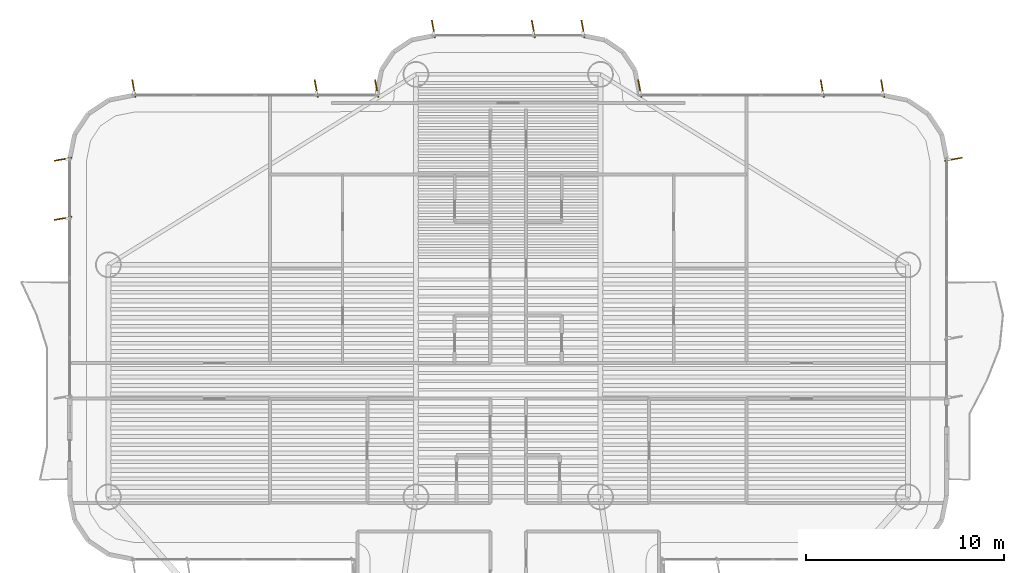
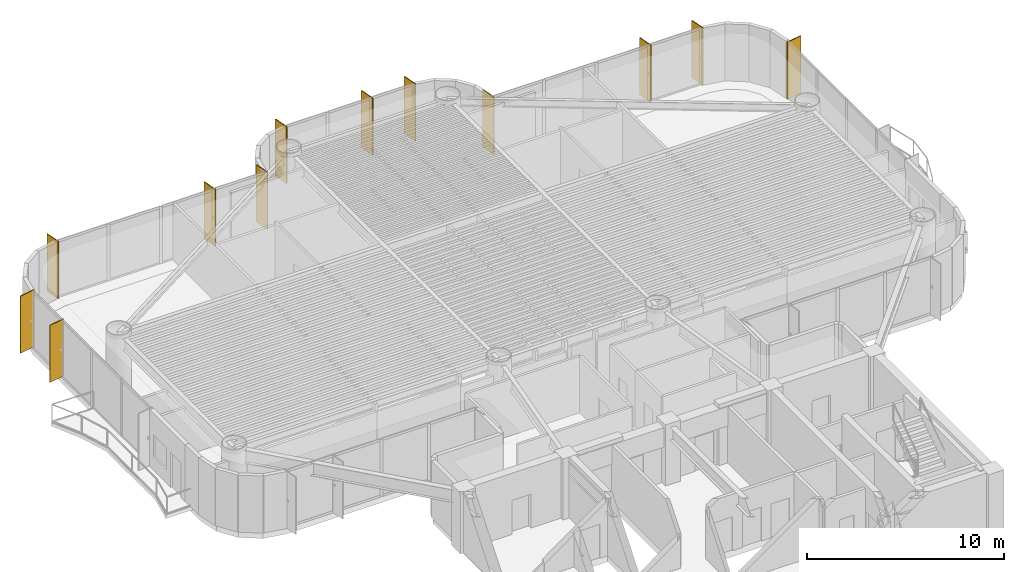
# One storey, part 17 of 17: 12 shading devices.
"""IFC4 building model written with IfcOpenShell, lengths in metres."""

from ifc_helpers import new_model, si_unit, direction, frame, origin, origin_2d, place, context, subcontext, project, spatial, rectangle, extrude, source, transform, mapped, material, material_profile, profile_set, type_object, element, save


model = new_model("IFC4")

# Units and contexts
model_context = context("Model", 3, precision=1e-05, world=origin(), true_north=direction((0.0, 1.0)))
body_context = subcontext(model_context, "Body", "Model", "MODEL_VIEW")
ifc_project = project(units=[si_unit("LENGTHUNIT", "METRE"), si_unit("AREAUNIT", "SQUARE_METRE"), si_unit("VOLUMEUNIT", "CUBIC_METRE"), si_unit("PLANEANGLEUNIT", "RADIAN"), si_unit("MASSUNIT", "GRAM", prefix="KILO")], contexts=[model_context])

# Site, building, storey
site_placement = place(None, origin())
site = spatial("IfcSite", under=ifc_project, at=site_placement, CompositionType="ELEMENT")
building_placement = place(site_placement, origin())
building = spatial("IfcBuilding", under=site, at=building_placement, Name="Brelvock Crest Care Tower", CompositionType="ELEMENT")
storey_placement = place(building_placement, frame((0.0, 0.0, 89.820068359375)))
storey = spatial("IfcBuildingStorey", under=building, at=storey_placement, Name="L22", CompositionType="ELEMENT", Elevation=89.820068359375)

# Shading devices
ifc_material = material(Name="Aluminium 6063-T6", Category="aluminium")
ifc_material_profile = material_profile(ifc_material, rectangle(XDim=0.054931640625, YDim=0.89990234375, at=origin_2d()), Name="FIN55x900")
ifc_profile_set = profile_set([ifc_material_profile], Name="Aluminium 6063-T6")
shading_device_type = type_object("IfcShadingDeviceType", Name="SHD-FIN1", PredefinedType="USERDEFINED", material=ifc_profile_set)
shared_shape = source(origin(), body_context, "Body", "SweptSolid", [
    extrude(rectangle(XDim=0.054931640625, YDim=0.89990234375, at=origin_2d()), origin(), (0.0, 0.0, 1.0), 3.530029296875),
])
for number, where, z_axis, x_axis, name in (
    (1, (13.56005859375, 41.1875, 0.0), (0.0, 0.0, 1.0), (-0.173648177667, 0.984807753012, 0.0), "L22 Vertical Sunshade Fin E17B-04"),
    (2, (13.56005859375, 44.169921875, 0.0), (0.0, 0.0, 1.0), (-0.173648177667, 0.984807753012, 0.0), "L22 Vertical Sunshade Fin E17B-05"),
    (3, (17.1298828125, 47.739990234375, 0.0), (0.0, 0.0, 1.0), (0.984807753012, 0.173648177667, 0.0), "L22 Vertical Sunshade Fin E22-01"),
    (4, (26.324951171875, 47.739990234375, 0.0), (0.0, 0.0, 1.0), (0.984807753012, 0.173648177667, 0.0), "L22 Vertical Sunshade Fin E22-04"),
    (5, (29.3701171875, 47.739990234375, 0.0), (0.0, 0.0, 1.0), (0.984807753012, 0.173648177667, 0.0), "L22 Vertical Sunshade Fin E22-05"),
    (6, (32.22998046875, 50.739990234375, 0.0), (0.0, 0.0, 1.0), (0.984807753012, 0.173648177667, 0.0), "L22 Vertical Sunshade Fin E28-01"),
    (7, (37.2666015625, 50.739990234375, 0.0), (0.0, 0.0, 1.0), (0.984807753012, 0.173648177667, 0.0), "L22 Vertical Sunshade Fin E28-03"),
    (8, (39.77001953125, 50.739990234375, 0.0), (0.0, 0.0, 1.0), (0.984807753012, 0.173648177667, 0.0), "L22 Vertical Sunshade Fin E28-04"),
    (9, (42.6298828125, 47.739990234375, 0.0), (0.0, 0.0, 1.0), (0.984807753012, 0.173648177667, 0.0), "L22 Vertical Sunshade Fin E34-01"),
    (10, (51.824951171875, 47.739990234375, 0.0), (0.0, 0.0, 1.0), (0.984807753012, 0.173648177667, 0.0), "L22 Vertical Sunshade Fin E34-04"),
    (11, (54.8701171875, 47.739990234375, 0.0), (0.0, 0.0, 1.0), (0.984807753012, 0.173648177667, 0.0), "L22 Vertical Sunshade Fin E34-05"),
    (12, (58.43994140625, 44.169921875, 0.0), (0.0, 0.0, 1.0), (0.173648177667, -0.984807753012, 0.0), "L22 Vertical Sunshade Fin E39A-01"),
):
    element("IfcShadingDevice", number, at=place(storey_placement, frame(where, z_axis=z_axis, x_axis=x_axis)), inside=storey, type_object=shading_device_type, Name=name, ObjectType="FIN", PredefinedType="USERDEFINED", context=body_context, shape_type="MappedRepresentation", body=[
        mapped(shared_shape, transform((0.0, 0.0, 0.0), x_axis=(1.0, 0.0, 0.0), y_axis=(0.0, 1.0, 0.0), z_axis=(0.0, 0.0, 1.0), scale=1.0)),
    ])

save(model, "model.ifc")
